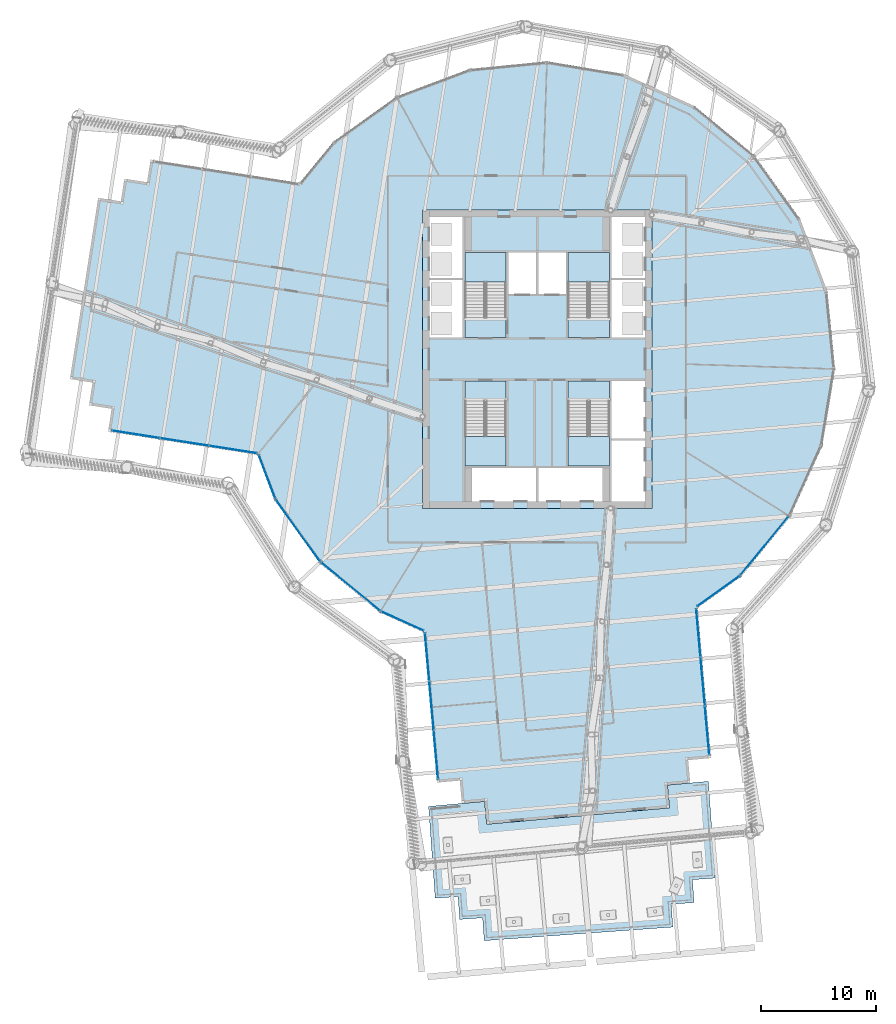
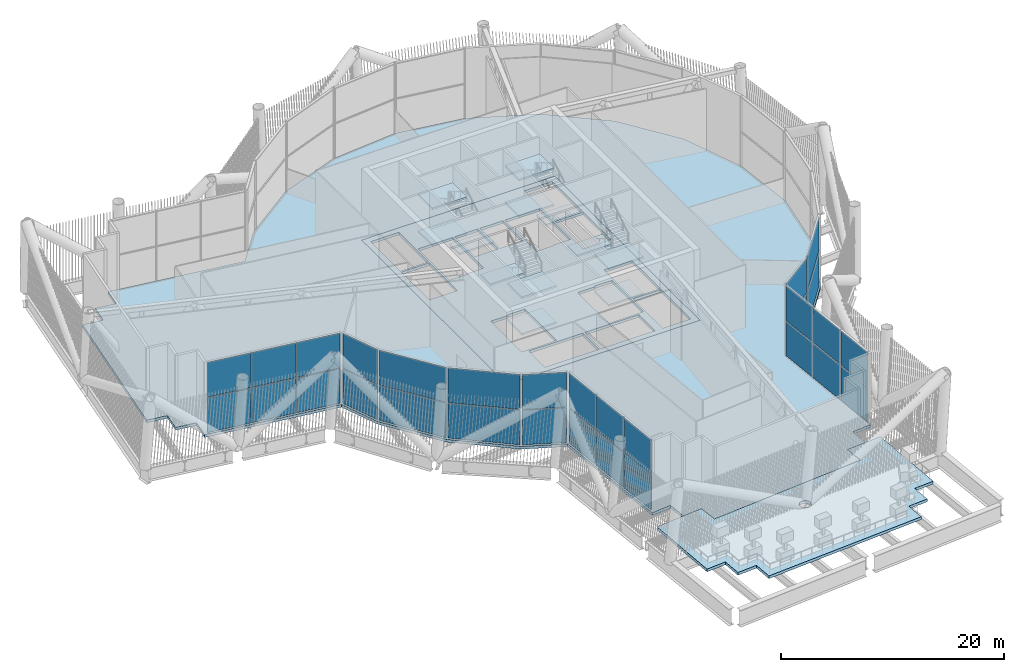
# One storey, part 28 of 55: 30 plates, 15 slabs, 13 elements without a shape of their own.
"""IFC4 building model written with IfcOpenShell, lengths in metres."""

import ifcopenshell
import ifcopenshell.guid

model = None  # the IFC model being written
_history = None  # IfcOwnerHistory: only IFC2X3 demands one
_inside = {}  # id of a spatial element -> (the spatial element, [elements in it])
_under = {}  # id of a project, library or spatial element -> (it, [spatial elements below it])
_declared = {}  # id of a project -> (the project, [libraries it declares])
_typed = {}  # id of a type object -> (the type object, [elements of that type])
_made_of = {}  # id of a material, layer set ... -> (it, [elements and type objects made of it])


def new_model(schema):
    """Start an empty IFC model of exactly this schema.

    Asked for "IFC4X3", IfcOpenShell would pick the latest addendum, in which some entities
    have other attributes; the version numbers below select the first issue.
    IFC2X3 requires an IfcOwnerHistory on every rooted entity: one is made here for all.
    """
    global model, _history
    if schema == "IFC4X3":
        model = ifcopenshell.file(schema_version=(4, 3, 0, 0))
    else:
        model = ifcopenshell.file(schema=schema)
    _inside.clear()
    _under.clear()
    _declared.clear()
    _typed.clear()
    _made_of.clear()
    _history = None
    if model.schema == "IFC2X3":
        org = make("IfcOrganization", Name="unknown")
        user = make(
            "IfcPersonAndOrganization",
            ThePerson=make("IfcPerson", FamilyName="unknown"),
            TheOrganization=org,
        )
        app = make(
            "IfcApplication",
            ApplicationDeveloper=org,
            Version="unknown",
            ApplicationFullName="unknown",
            ApplicationIdentifier="unknown",
        )
        _history = make(
            "IfcOwnerHistory",
            OwningUser=user,
            OwningApplication=app,
            ChangeAction="ADDED",
            CreationDate=0,
        )
    return model


def make(cls, **values):
    """One entity of the class cls with the attributes given. An attribute that is None is left unset."""
    return model.create_entity(
        cls, **{name: value for name, value in values.items() if value is not None}
    )


def rooted(cls, **values):
    """An entity with a GlobalId (a new one), such as an element, a storey or a relation."""
    return make(cls, GlobalId=ifcopenshell.guid.new(), OwnerHistory=_history, **values)


def si_unit(unit_type, name, prefix=None):
    """IfcSIUnit, for example si_unit("LENGTHUNIT", "METRE", prefix="MILLI")."""
    return make("IfcSIUnit", UnitType=unit_type, Prefix=prefix, Name=name)


def assignment(units):
    """IfcUnitAssignment: the units of a project."""
    return None if units is None else make("IfcUnitAssignment", Units=units)


def point(xyz):
    """IfcCartesianPoint."""
    return None if xyz is None else make("IfcCartesianPoint", Coordinates=xyz)


def direction(xyz):
    """IfcDirection."""
    return None if xyz is None else make("IfcDirection", DirectionRatios=xyz)


def frame(location, z_axis=None, x_axis=None):
    """IfcAxis2Placement3D, a coordinate frame: its origin and axes. An axis left out is left unset."""
    return make(
        "IfcAxis2Placement3D",
        Location=point(location),
        Axis=direction(z_axis),
        RefDirection=direction(x_axis),
    )


def frame_2d(location, x_axis=None):
    """IfcAxis2Placement2D, a coordinate frame in the plane: its origin and x axis."""
    return make(
        "IfcAxis2Placement2D", Location=point(location), RefDirection=direction(x_axis)
    )


def origin():
    """The frame at (0, 0, 0) with its axes left unset."""
    return frame((0.0, 0.0, 0.0))


def origin_2d():
    """The frame at (0, 0) in the plane with its x axis left unset."""
    return frame_2d((0.0, 0.0))


def place(relative_to, where):
    """IfcLocalPlacement: puts the frame where relative to a parent placement (None: the world)."""
    return make(
        "IfcLocalPlacement", PlacementRelTo=relative_to, RelativePlacement=where
    )


def context(
    kind, dimensions, precision=None, world=None, true_north=None, identifier=None
):
    """IfcGeometricRepresentationContext, for example the 3D "Model" context."""
    return make(
        "IfcGeometricRepresentationContext",
        ContextIdentifier=identifier,
        ContextType=kind,
        CoordinateSpaceDimension=dimensions,
        Precision=precision,
        WorldCoordinateSystem=world,
        TrueNorth=true_north,
    )


def subcontext(parent, identifier, kind, view, scale=None):
    """IfcGeometricRepresentationSubContext, for example "Body" below "Model"."""
    return make(
        "IfcGeometricRepresentationSubContext",
        ContextIdentifier=identifier,
        ContextType=kind,
        ParentContext=parent,
        TargetScale=scale,
        TargetView=view,
    )


def project(units=None, contexts=None):
    """IfcProject with its units and contexts."""
    return rooted(
        "IfcProject",
        Name="project",
        RepresentationContexts=contexts,
        UnitsInContext=assignment(units),
    )


def spatial(cls, under=None, at=None, **own):
    """A site, building, storey or space (cls), placed at a placement, below another one or the project."""
    s = rooted(cls, ObjectPlacement=at, **own)
    if under is not None:
        _under.setdefault(under.id(), (under, []))[1].append(s)
    return s


def polyline(points):
    """IfcPolyline through the points."""
    return make("IfcPolyline", Points=[point(p) for p in points])


def profile(cls, at=None, kind="AREA", **sizes):
    """A parametric profile (cls). Its sizes go by their IFC names, for example OverallWidth=200.0."""
    return make(cls, ProfileType=kind, Position=at, **sizes)


def rectangle(**sizes):
    """IfcRectangleProfileDef."""
    return profile("IfcRectangleProfileDef", **sizes)


def outline(outer, holes=None, kind="AREA"):
    """IfcArbitraryClosedProfileDef: a profile drawn as a closed curve; with holes, ...WithVoids."""
    if holes is None:
        return make("IfcArbitraryClosedProfileDef", ProfileType=kind, OuterCurve=outer)
    return make(
        "IfcArbitraryProfileDefWithVoids",
        ProfileType=kind,
        OuterCurve=outer,
        InnerCurves=holes,
    )


def extrude(swept, where, along, depth):
    """IfcExtrudedAreaSolid: the profile swept, set in the frame where, extruded along a direction by depth."""
    return make(
        "IfcExtrudedAreaSolid",
        SweptArea=swept,
        Position=where,
        ExtrudedDirection=direction(along),
        Depth=depth,
    )


def shape(context_of_items, identifier, shape_type, items):
    """IfcShapeRepresentation: the items that make up one representation, for example the "Body"."""
    return make(
        "IfcShapeRepresentation",
        ContextOfItems=context_of_items,
        RepresentationIdentifier=identifier,
        RepresentationType=shape_type,
        Items=items,
    )


def material(Name=None, Category=None):
    """IfcMaterial."""
    return make("IfcMaterial", Name=Name, Category=Category)


def layer(
    of_material, thickness, ventilated=None, Name=None, Category=None, Priority=None
):
    """IfcMaterialLayer: one layer of a wall or slab, of a material (None: an air gap)."""
    return make(
        "IfcMaterialLayer",
        Material=of_material,
        LayerThickness=thickness,
        IsVentilated=ventilated,
        Name=Name,
        Category=Category,
        Priority=Priority,
    )


def layer_set(layers, Name=None):
    """IfcMaterialLayerSet."""
    return make("IfcMaterialLayerSet", MaterialLayers=layers, LayerSetName=Name)


def made_of(thing, what):
    """Note that an element or type object is made of a material, layer set ...; save() writes the relation."""
    if what is not None:
        _made_of.setdefault(what.id(), (what, []))[1].append(thing)
    return thing


def type_object(cls, material=None, **own):
    """A type object (cls), such as IfcWallType, which elements share."""
    return made_of(rooted(cls, **own), material)


def element(
    cls,
    number,
    at=None,
    inside=None,
    cuts=None,
    type_object=None,
    material=None,
    context=None,
    identifier="Body",
    shape_type=None,
    held_by="IfcProductDefinitionShape",
    body=None,
    shapes=None,
    **own,
):
    """One element of the class cls, such as IfcWall. Its Tag is "e" and its number.

    at: its placement. inside: the storey or other place that contains it. cuts: it is an
    opening in that element (IfcRelVoidsElement). A single representation is given by context,
    identifier, shape_type and body (its items); several are given by shapes. held_by: the class
    of the entity that holds the representations. save() writes the other relations.
    """
    e = rooted(cls, Tag="e%d" % number, ObjectPlacement=at, **own)
    if body is not None:
        shapes = [shape(context, identifier, shape_type, body)]
    if shapes is not None:
        e.Representation = make(held_by, Representations=shapes)
    if inside is not None:
        _inside.setdefault(inside.id(), (inside, []))[1].append(e)
    if cuts is not None:
        rooted(
            "IfcRelVoidsElement", RelatingBuildingElement=cuts, RelatedOpeningElement=e
        )
    if type_object is not None:
        _typed.setdefault(type_object.id(), (type_object, []))[1].append(e)
    return made_of(e, material)


def aggregate(whole, parts):
    """IfcRelAggregates: a whole, such as a stair, and the parts it consists of."""
    return rooted("IfcRelAggregates", RelatingObject=whole, RelatedObjects=parts)


def save(model, path):
    """Write the relations noted so far, then the file.

    IfcRelAggregates (storeys below a building ...), IfcRelContainedInSpatialStructure (elements
    in a storey), IfcRelDefinesByType, IfcRelAssociatesMaterial and IfcRelDeclares: one each for
    every whole, place, type object, material and project.
    """
    for whole, parts in _under.values():
        aggregate(whole, parts)
    for where, things in _inside.values():
        rooted(
            "IfcRelContainedInSpatialStructure",
            RelatedElements=things,
            RelatingStructure=where,
        )
    for kind, things in _typed.values():
        rooted("IfcRelDefinesByType", RelatedObjects=things, RelatingType=kind)
    for what, things in _made_of.values():
        rooted("IfcRelAssociatesMaterial", RelatedObjects=things, RelatingMaterial=what)
    for by, libraries in _declared.values():
        rooted("IfcRelDeclares", RelatingContext=by, RelatedDefinitions=libraries)
    model.write(path)


model = new_model("IFC4")

# Units and contexts
model_context = context("Model", 3, precision=1e-05, world=origin(), true_north=direction((0.0, 1.0)))
body_context = subcontext(model_context, "Body", "Model", "MODEL_VIEW")
ifc_project = project(units=[si_unit("LENGTHUNIT", "METRE"), si_unit("AREAUNIT", "SQUARE_METRE"), si_unit("VOLUMEUNIT", "CUBIC_METRE"), si_unit("PLANEANGLEUNIT", "RADIAN"), si_unit("MASSUNIT", "GRAM", prefix="KILO")], contexts=[model_context])

# Site, building, storey
site_placement = place(None, origin())
site = spatial("IfcSite", under=ifc_project, at=site_placement, CompositionType="ELEMENT")
building_placement = place(site_placement, origin())
building = spatial("IfcBuilding", under=site, at=building_placement, Name="Tarsis Ring Headquarters", CompositionType="ELEMENT")
storey_placement = place(building_placement, frame((0.0, 0.0, 247.199951171875)))
storey = spatial("IfcBuildingStorey", under=building, at=storey_placement, Name="L58", CompositionType="ELEMENT", Elevation=247.199951171875)

# Slab
ifc_material_1 = material(Name="Concrete C40/50", Category="concrete")
ifc_layer_1 = layer(ifc_material_1, 0.300048828125)
ifc_layer_set_1 = layer_set([ifc_layer_1], Name="Core floor slab 300 C40/50")
slab_type_1 = type_object("IfcSlabType", Name="Core floor slab 300 C40/50", PredefinedType="FLOOR", material=ifc_layer_set_1)
slab_1_placement = place(storey_placement, frame((0.0, 0.0, -0.300048828125)))
element("IfcSlab", 1, at=slab_1_placement, inside=storey, type_object=slab_type_1, Name="L58 core floor slab", PredefinedType="FLOOR", context=body_context, shape_type="SweptSolid", body=[
    extrude(outline(polyline([(-10.0, -13.0), (10.0, -13.0), (10.0, 13.0), (-10.0, 13.0), (-10.0, -13.0)]), holes=[polyline([(-2.5, 5.699951171875), (-0.10009765625, 5.699951171875), (-0.10009765625, 9.300048828125), (-2.5, 9.300048828125), (-2.5, 5.699951171875)]), polyline([(0.10009765625, 5.699951171875), (2.5, 5.699951171875), (2.5, 9.300048828125), (0.10009765625, 9.300048828125), (0.10009765625, 5.699951171875)]), polyline([(-9.39990234375, 1.89990234375), (-6.5, 1.89990234375), (-6.5, 6.89990234375), (-9.39990234375, 6.89990234375), (-9.39990234375, 1.89990234375)]), polyline([(-9.39990234375, 7.10009765625), (-6.5, 7.10009765625), (-6.5, 12.39990234375), (-9.39990234375, 12.39990234375), (-9.39990234375, 7.10009765625)]), polyline([(6.5, -12.39990234375), (9.39990234375, -12.39990234375), (9.39990234375, -7.10009765625), (6.5, -7.10009765625), (6.5, -12.39990234375)]), polyline([(6.5, -6.89990234375), (9.39990234375, -6.89990234375), (9.39990234375, -1.89990234375), (6.5, -1.89990234375), (6.5, -6.89990234375)]), polyline([(6.5, 1.89990234375), (9.39990234375, 1.89990234375), (9.39990234375, 6.89990234375), (6.5, 6.89990234375), (6.5, 1.89990234375)]), polyline([(6.5, 7.10009765625), (9.39990234375, 7.10009765625), (9.39990234375, 12.39990234375), (6.5, 12.39990234375), (6.5, 7.10009765625)]), polyline([(-5.699951171875, -12.39990234375), (-0.10009765625, -12.39990234375), (-0.10009765625, -9.5), (-5.699951171875, -9.5), (-5.699951171875, -12.39990234375)]), polyline([(0.10009765625, -12.39990234375), (5.699951171875, -12.39990234375), (5.699951171875, -9.5), (0.10009765625, -9.5), (0.10009765625, -12.39990234375)]), polyline([(-2.699951171875, 3.760009765625), (-2.699951171875, 9.300048828125), (-6.300048828125, 9.300048828125), (-6.300048828125, 3.659912109375), (-4.4599609375, 3.659912109375), (-4.4599609375, 3.760009765625), (-2.699951171875, 3.760009765625)]), polyline([(6.300048828125, 3.760009765625), (6.300048828125, 9.300048828125), (2.699951171875, 9.300048828125), (2.699951171875, 3.659912109375), (4.5400390625, 3.659912109375), (4.5400390625, 3.760009765625), (6.300048828125, 3.760009765625)]), polyline([(-6.300048828125, -3.760009765625), (-6.300048828125, -9.300048828125), (-2.699951171875, -9.300048828125), (-2.699951171875, -3.659912109375), (-4.5400390625, -3.659912109375), (-4.5400390625, -3.760009765625), (-6.300048828125, -3.760009765625)]), polyline([(2.699951171875, -3.760009765625), (2.699951171875, -9.300048828125), (6.300048828125, -9.300048828125), (6.300048828125, -3.659912109375), (4.4599609375, -3.659912109375), (4.4599609375, -3.760009765625), (2.699951171875, -3.760009765625)])]), origin(), (0.0, 0.0, 1.0), 0.300048828125),
])

# Stair, slabs
ifc_material_2 = material(Name="Core stair 1760")
stair_type = type_object("IfcStairType", Name="Core stair 1760", PredefinedType="HALF_TURN_STAIR", material=ifc_material_2)
stair_1_placement = place(storey_placement, origin())
stair_1 = element("IfcStair", 2, at=stair_1_placement, inside=storey, type_object=stair_type, Name="L58 Firefighting stair", PredefinedType="HALF_TURN_STAIR")
ifc_layer_2 = layer(ifc_material_1, 0.199951171875)
ifc_layer_set_2 = layer_set([ifc_layer_2], Name="Core stair landing 200")
slab_type_2 = type_object("IfcSlabType", Name="Core stair landing 200", PredefinedType="LANDING", material=ifc_layer_set_2)
slab_2_placement = place(storey_placement, frame((0.0, 0.0, 1.800048828125)))
slab_2 = element("IfcSlab", 3, at=slab_2_placement, type_object=slab_type_2, Name="Stair ST1 landing 1", PredefinedType="LANDING", context=body_context, shape_type="SweptSolid", body=[
    extrude(outline(polyline([(-2.699951171875, 6.739990234375), (-2.699951171875, 9.300048828125), (-6.300048828125, 9.300048828125), (-6.300048828125, 6.739990234375), (-2.699951171875, 6.739990234375)])), origin(), (0.0, 0.0, 1.0), 0.199951171875),
])
slab_3_placement = place(storey_placement, frame((0.0, 0.0, 3.800048828125)))
slab_3 = element("IfcSlab", 4, at=slab_3_placement, type_object=slab_type_2, Name="Stair ST1 landing 2", PredefinedType="LANDING", context=body_context, shape_type="SweptSolid", body=[
    extrude(outline(polyline([(-2.699951171875, 1.89990234375), (-2.699951171875, 3.659912109375), (-6.300048828125, 3.659912109375), (-6.300048828125, 1.89990234375), (-2.699951171875, 1.89990234375)])), origin(), (0.0, 0.0, 1.0), 0.199951171875),
])
slab_4_placement = place(storey_placement, frame((0.0, 0.0, 5.800048828125)))
slab_4 = element("IfcSlab", 5, at=slab_4_placement, type_object=slab_type_2, Name="Stair ST1 landing 3", PredefinedType="LANDING", context=body_context, shape_type="SweptSolid", body=[
    extrude(outline(polyline([(-2.699951171875, 6.739990234375), (-2.699951171875, 9.300048828125), (-6.300048828125, 9.300048828125), (-6.300048828125, 6.739990234375), (-2.699951171875, 6.739990234375)])), origin(), (0.0, 0.0, 1.0), 0.199951171875),
])
aggregate(stair_1, [slab_2, slab_3, slab_4])

stair_2_placement = place(storey_placement, origin())
stair_2 = element("IfcStair", 6, at=stair_2_placement, inside=storey, type_object=stair_type, Name="L58 Exit stair B", PredefinedType="HALF_TURN_STAIR")
slab_5_placement = place(storey_placement, frame((0.0, 0.0, 1.800048828125)))
slab_5 = element("IfcSlab", 7, at=slab_5_placement, type_object=slab_type_2, Name="Stair ST2 landing 1", PredefinedType="LANDING", context=body_context, shape_type="SweptSolid", body=[
    extrude(outline(polyline([(6.300048828125, 6.739990234375), (6.300048828125, 9.300048828125), (2.699951171875, 9.300048828125), (2.699951171875, 6.739990234375), (6.300048828125, 6.739990234375)])), origin(), (0.0, 0.0, 1.0), 0.199951171875),
])
slab_6_placement = place(storey_placement, frame((0.0, 0.0, 3.800048828125)))
slab_6 = element("IfcSlab", 8, at=slab_6_placement, type_object=slab_type_2, Name="Stair ST2 landing 2", PredefinedType="LANDING", context=body_context, shape_type="SweptSolid", body=[
    extrude(outline(polyline([(6.300048828125, 1.89990234375), (6.300048828125, 3.659912109375), (2.699951171875, 3.659912109375), (2.699951171875, 1.89990234375), (6.300048828125, 1.89990234375)])), origin(), (0.0, 0.0, 1.0), 0.199951171875),
])
slab_7_placement = place(storey_placement, frame((0.0, 0.0, 5.800048828125)))
slab_7 = element("IfcSlab", 9, at=slab_7_placement, type_object=slab_type_2, Name="Stair ST2 landing 3", PredefinedType="LANDING", context=body_context, shape_type="SweptSolid", body=[
    extrude(outline(polyline([(6.300048828125, 6.739990234375), (6.300048828125, 9.300048828125), (2.699951171875, 9.300048828125), (2.699951171875, 6.739990234375), (6.300048828125, 6.739990234375)])), origin(), (0.0, 0.0, 1.0), 0.199951171875),
])
aggregate(stair_2, [slab_5, slab_6, slab_7])

stair_3_placement = place(storey_placement, origin())
stair_3 = element("IfcStair", 10, at=stair_3_placement, inside=storey, type_object=stair_type, Name="L58 Exit stair C", PredefinedType="HALF_TURN_STAIR")
slab_8_placement = place(storey_placement, frame((0.0, 0.0, 1.800048828125)))
slab_8 = element("IfcSlab", 11, at=slab_8_placement, type_object=slab_type_2, Name="Stair ST3 landing 1", PredefinedType="LANDING", context=body_context, shape_type="SweptSolid", body=[
    extrude(outline(polyline([(-6.300048828125, -6.739990234375), (-6.300048828125, -9.300048828125), (-2.699951171875, -9.300048828125), (-2.699951171875, -6.739990234375), (-6.300048828125, -6.739990234375)])), origin(), (0.0, 0.0, 1.0), 0.199951171875),
])
slab_9_placement = place(storey_placement, frame((0.0, 0.0, 3.800048828125)))
slab_9 = element("IfcSlab", 12, at=slab_9_placement, type_object=slab_type_2, Name="Stair ST3 landing 2", PredefinedType="LANDING", context=body_context, shape_type="SweptSolid", body=[
    extrude(outline(polyline([(-6.300048828125, -1.89990234375), (-6.300048828125, -3.659912109375), (-2.699951171875, -3.659912109375), (-2.699951171875, -1.89990234375), (-6.300048828125, -1.89990234375)])), origin(), (0.0, 0.0, 1.0), 0.199951171875),
])
slab_10_placement = place(storey_placement, frame((0.0, 0.0, 5.800048828125)))
slab_10 = element("IfcSlab", 13, at=slab_10_placement, type_object=slab_type_2, Name="Stair ST3 landing 3", PredefinedType="LANDING", context=body_context, shape_type="SweptSolid", body=[
    extrude(outline(polyline([(-6.300048828125, -6.739990234375), (-6.300048828125, -9.300048828125), (-2.699951171875, -9.300048828125), (-2.699951171875, -6.739990234375), (-6.300048828125, -6.739990234375)])), origin(), (0.0, 0.0, 1.0), 0.199951171875),
])
aggregate(stair_3, [slab_8, slab_9, slab_10])

stair_4_placement = place(storey_placement, origin())
stair_4 = element("IfcStair", 14, at=stair_4_placement, inside=storey, type_object=stair_type, Name="L58 Exit stair D", PredefinedType="HALF_TURN_STAIR")
slab_11_placement = place(storey_placement, frame((0.0, 0.0, 1.800048828125)))
slab_11 = element("IfcSlab", 15, at=slab_11_placement, type_object=slab_type_2, Name="Stair ST4 landing 1", PredefinedType="LANDING", context=body_context, shape_type="SweptSolid", body=[
    extrude(outline(polyline([(2.699951171875, -6.739990234375), (2.699951171875, -9.300048828125), (6.300048828125, -9.300048828125), (6.300048828125, -6.739990234375), (2.699951171875, -6.739990234375)])), origin(), (0.0, 0.0, 1.0), 0.199951171875),
])
slab_12_placement = place(storey_placement, frame((0.0, 0.0, 3.800048828125)))
slab_12 = element("IfcSlab", 16, at=slab_12_placement, type_object=slab_type_2, Name="Stair ST4 landing 2", PredefinedType="LANDING", context=body_context, shape_type="SweptSolid", body=[
    extrude(outline(polyline([(2.699951171875, -1.89990234375), (2.699951171875, -3.659912109375), (6.300048828125, -3.659912109375), (6.300048828125, -1.89990234375), (2.699951171875, -1.89990234375)])), origin(), (0.0, 0.0, 1.0), 0.199951171875),
])
slab_13_placement = place(storey_placement, frame((0.0, 0.0, 5.800048828125)))
slab_13 = element("IfcSlab", 17, at=slab_13_placement, type_object=slab_type_2, Name="Stair ST4 landing 3", PredefinedType="LANDING", context=body_context, shape_type="SweptSolid", body=[
    extrude(outline(polyline([(2.699951171875, -6.739990234375), (2.699951171875, -9.300048828125), (6.300048828125, -9.300048828125), (6.300048828125, -6.739990234375), (2.699951171875, -6.739990234375)])), origin(), (0.0, 0.0, 1.0), 0.199951171875),
])
aggregate(stair_4, [slab_11, slab_12, slab_13])

# Curtain wall, plates
ifc_material_3 = material(Name="Aluminium curtain wall", Category="aluminium")
ifc_layer_3 = layer(ifc_material_3, 0.300048828125)
ifc_layer_set_3 = layer_set([ifc_layer_3], Name="Curtain wall upper sky lobby")
curtain_wall_type = type_object("IfcCurtainWallType", Name="Curtain wall upper sky lobby", PredefinedType="NOTDEFINED", material=ifc_layer_set_3)
curtain_wall_1_placement = place(storey_placement, origin())
curtain_wall_1 = element("IfcCurtainWall", 18, at=curtain_wall_1_placement, inside=storey, type_object=curtain_wall_type, Name="Curtain wall L58-01", PredefinedType="NOTDEFINED")
ifc_material_4 = material(Name="Clear double glazing", Category="glass")
ifc_layer_4 = layer(ifc_material_4, 0.028076171875)
ifc_layer_set_4 = layer_set([ifc_layer_4], Name="Curtain wall glass panel upper sky lobby")
plate_type = type_object("IfcPlateType", Name="Curtain wall glass panel upper sky lobby", PredefinedType="CURTAIN_PANEL", material=ifc_layer_set_4)
plate_1_placement = place(storey_placement, frame((-35.00439453125, -6.550048828125, 0.09033203125), z_axis=(0.0, 0.0, 1.0), x_axis=(0.988013815292, -0.15436547798, 0.0)))
plate_1 = element("IfcPlate", 19, at=plate_1_placement, type_object=plate_type, Name="CW-U panel 1.1", PredefinedType="CURTAIN_PANEL", context=body_context, shape_type="SweptSolid", body=[
    extrude(rectangle(XDim=4.17236328125, YDim=0.028076171875, at=origin_2d()), origin(), (0.0, 0.0, 1.0), 3.784912109375),
])
plate_2_placement = place(storey_placement, frame((-35.00439453125, -6.550048828125, 3.96533203125), z_axis=(0.0, 0.0, 1.0), x_axis=(0.988013815292, -0.15436547798, 0.0)))
plate_2 = element("IfcPlate", 20, at=plate_2_placement, type_object=plate_type, Name="CW-U panel 1.2", PredefinedType="CURTAIN_PANEL", context=body_context, shape_type="SweptSolid", body=[
    extrude(rectangle(XDim=4.17236328125, YDim=0.028076171875, at=origin_2d()), origin(), (0.0, 0.0, 1.0), 3.784912109375),
])
plate_3_placement = place(storey_placement, frame((-30.77099609375, -7.21142578125, 0.09033203125), z_axis=(0.0, 0.0, 1.0), x_axis=(0.988013815292, -0.15436547798, 0.0)))
plate_3 = element("IfcPlate", 21, at=plate_3_placement, type_object=plate_type, Name="CW-U panel 2.1", PredefinedType="CURTAIN_PANEL", context=body_context, shape_type="SweptSolid", body=[
    extrude(rectangle(XDim=4.21728515625, YDim=0.028076171875, at=origin_2d()), origin(), (0.0, 0.0, 1.0), 3.784912109375),
])
plate_4_placement = place(storey_placement, frame((-30.77099609375, -7.21142578125, 3.96533203125), z_axis=(0.0, 0.0, 1.0), x_axis=(0.988013815292, -0.15436547798, 0.0)))
plate_4 = element("IfcPlate", 22, at=plate_4_placement, type_object=plate_type, Name="CW-U panel 2.2", PredefinedType="CURTAIN_PANEL", context=body_context, shape_type="SweptSolid", body=[
    extrude(rectangle(XDim=4.21728515625, YDim=0.028076171875, at=origin_2d()), origin(), (0.0, 0.0, 1.0), 3.784912109375),
])
plate_5_placement = place(storey_placement, frame((-26.53759765625, -7.872802734375, 0.09033203125), z_axis=(0.0, 0.0, 1.0), x_axis=(0.988013815292, -0.15436547798, 0.0)))
plate_5 = element("IfcPlate", 23, at=plate_5_placement, type_object=plate_type, Name="CW-U panel 3.1", PredefinedType="CURTAIN_PANEL", context=body_context, shape_type="SweptSolid", body=[
    extrude(rectangle(XDim=4.17236328125, YDim=0.028076171875, at=origin_2d()), origin(), (0.0, 0.0, 1.0), 3.784912109375),
])
plate_6_placement = place(storey_placement, frame((-26.53759765625, -7.872802734375, 3.96533203125), z_axis=(0.0, 0.0, 1.0), x_axis=(0.988013815292, -0.15436547798, 0.0)))
plate_6 = element("IfcPlate", 24, at=plate_6_placement, type_object=plate_type, Name="CW-U panel 3.2", PredefinedType="CURTAIN_PANEL", context=body_context, shape_type="SweptSolid", body=[
    extrude(rectangle(XDim=4.17236328125, YDim=0.028076171875, at=origin_2d()), origin(), (0.0, 0.0, 1.0), 3.784912109375),
])
aggregate(curtain_wall_1, [plate_1, plate_2, plate_3, plate_4, plate_5, plate_6])

curtain_wall_2_placement = place(storey_placement, origin())
curtain_wall_2 = element("IfcCurtainWall", 25, at=curtain_wall_2_placement, inside=storey, type_object=curtain_wall_type, Name="Curtain wall L58-02", PredefinedType="NOTDEFINED")
plate_7_placement = place(storey_placement, frame((-23.5576171875, -10.23388671875, 0.09033203125), z_axis=(0.0, 0.0, 1.0), x_axis=(0.352168517881, -0.935936608437, 0.0)))
plate_7 = element("IfcPlate", 26, at=plate_7_placement, type_object=plate_type, Name="CW-U panel 1.1", PredefinedType="CURTAIN_PANEL", context=body_context, shape_type="SweptSolid", body=[
    extrude(rectangle(XDim=3.9775390625, YDim=0.028076171875, at=origin_2d()), origin(), (0.0, 0.0, 1.0), 3.784912109375),
])
plate_8_placement = place(storey_placement, frame((-23.5576171875, -10.23388671875, 3.96533203125), z_axis=(0.0, 0.0, 1.0), x_axis=(0.352168517881, -0.935936608437, 0.0)))
plate_8 = element("IfcPlate", 27, at=plate_8_placement, type_object=plate_type, Name="CW-U panel 1.2", PredefinedType="CURTAIN_PANEL", context=body_context, shape_type="SweptSolid", body=[
    extrude(rectangle(XDim=3.9775390625, YDim=0.028076171875, at=origin_2d()), origin(), (0.0, 0.0, 1.0), 3.784912109375),
])
aggregate(curtain_wall_2, [plate_7, plate_8])

curtain_wall_3_placement = place(storey_placement, origin())
curtain_wall_3 = element("IfcCurtainWall", 28, at=curtain_wall_3_placement, inside=storey, type_object=curtain_wall_type, Name="Curtain wall L58-03", PredefinedType="NOTDEFINED")
plate_9_placement = place(storey_placement, frame((-20.85302734375, -14.940185546875, 0.09033203125), z_axis=(0.0, 0.0, 1.0), x_axis=(0.582406653888, -0.812897588573, 0.0)))
plate_9 = element("IfcPlate", 29, at=plate_9_placement, type_object=plate_type, Name="CW-U panel 1.1", PredefinedType="CURTAIN_PANEL", context=body_context, shape_type="SweptSolid", body=[
    extrude(rectangle(XDim=6.54150390625, YDim=0.028076171875, at=origin_2d()), origin(), (0.0, 0.0, 1.0), 3.784912109375),
])
plate_10_placement = place(storey_placement, frame((-20.85302734375, -14.940185546875, 3.96533203125), z_axis=(0.0, 0.0, 1.0), x_axis=(0.582406653888, -0.812897588573, 0.0)))
plate_10 = element("IfcPlate", 30, at=plate_10_placement, type_object=plate_type, Name="CW-U panel 1.2", PredefinedType="CURTAIN_PANEL", context=body_context, shape_type="SweptSolid", body=[
    extrude(rectangle(XDim=6.54150390625, YDim=0.028076171875, at=origin_2d()), origin(), (0.0, 0.0, 1.0), 3.784912109375),
])
aggregate(curtain_wall_3, [plate_9, plate_10])

curtain_wall_4_placement = place(storey_placement, origin())
curtain_wall_4 = element("IfcCurtainWall", 31, at=curtain_wall_4_placement, inside=storey, type_object=curtain_wall_type, Name="Curtain wall L58-04", PredefinedType="NOTDEFINED")
plate_11_placement = place(storey_placement, frame((-16.275634765625, -19.828369140625, 0.09033203125), z_axis=(0.0, 0.0, 1.0), x_axis=(0.772955112947, -0.634460710658, 0.0)))
plate_11 = element("IfcPlate", 32, at=plate_11_placement, type_object=plate_type, Name="CW-U panel 1.1", PredefinedType="CURTAIN_PANEL", context=body_context, shape_type="SweptSolid", body=[
    extrude(rectangle(XDim=6.54150390625, YDim=0.028076171875, at=origin_2d()), origin(), (0.0, 0.0, 1.0), 3.784912109375),
])
plate_12_placement = place(storey_placement, frame((-16.275634765625, -19.828369140625, 3.96533203125), z_axis=(0.0, 0.0, 1.0), x_axis=(0.772955112947, -0.634460710658, 0.0)))
plate_12 = element("IfcPlate", 33, at=plate_12_placement, type_object=plate_type, Name="CW-U panel 1.2", PredefinedType="CURTAIN_PANEL", context=body_context, shape_type="SweptSolid", body=[
    extrude(rectangle(XDim=6.54150390625, YDim=0.028076171875, at=origin_2d()), origin(), (0.0, 0.0, 1.0), 3.784912109375),
])
aggregate(curtain_wall_4, [plate_11, plate_12])

curtain_wall_5_placement = place(storey_placement, origin())
curtain_wall_5 = element("IfcCurtainWall", 34, at=curtain_wall_5_placement, inside=storey, type_object=curtain_wall_type, Name="Curtain wall L58-05", PredefinedType="NOTDEFINED")
plate_13_placement = place(storey_placement, frame((-11.756591796875, -22.8359375, 0.09033203125), z_axis=(0.0, 0.0, 1.0), x_axis=(0.910827688552, -0.412786775185, 0.0)))
plate_13 = element("IfcPlate", 35, at=plate_13_placement, type_object=plate_type, Name="CW-U panel 1.1", PredefinedType="CURTAIN_PANEL", context=body_context, shape_type="SweptSolid", body=[
    extrude(rectangle(XDim=3.9775390625, YDim=0.028076171875, at=origin_2d()), origin(), (0.0, 0.0, 1.0), 3.784912109375),
])
plate_14_placement = place(storey_placement, frame((-11.756591796875, -22.8359375, 3.96533203125), z_axis=(0.0, 0.0, 1.0), x_axis=(0.910827688552, -0.412786775185, 0.0)))
plate_14 = element("IfcPlate", 36, at=plate_14_placement, type_object=plate_type, Name="CW-U panel 1.2", PredefinedType="CURTAIN_PANEL", context=body_context, shape_type="SweptSolid", body=[
    extrude(rectangle(XDim=3.9775390625, YDim=0.028076171875, at=origin_2d()), origin(), (0.0, 0.0, 1.0), 3.784912109375),
])
aggregate(curtain_wall_5, [plate_13, plate_14])

curtain_wall_6_placement = place(storey_placement, origin())
curtain_wall_6 = element("IfcCurtainWall", 37, at=curtain_wall_6_placement, inside=storey, type_object=curtain_wall_type, Name="Curtain wall L58-06", PredefinedType="NOTDEFINED")
plate_15_placement = place(storey_placement, frame((-9.59619140625, -25.964111328125, 0.09033203125), z_axis=(0.0, 0.0, 1.0), x_axis=(0.089242030819, -0.996009969797, 0.0)))
plate_15 = element("IfcPlate", 38, at=plate_15_placement, type_object=plate_type, Name="CW-U panel 1.1", PredefinedType="CURTAIN_PANEL", context=body_context, shape_type="SweptSolid", body=[
    extrude(rectangle(XDim=4.17236328125, YDim=0.028076171875, at=origin_2d()), origin(), (0.0, 0.0, 1.0), 3.784912109375),
])
plate_16_placement = place(storey_placement, frame((-9.59619140625, -25.964111328125, 3.96533203125), z_axis=(0.0, 0.0, 1.0), x_axis=(0.089242030819, -0.996009969797, 0.0)))
plate_16 = element("IfcPlate", 39, at=plate_16_placement, type_object=plate_type, Name="CW-U panel 1.2", PredefinedType="CURTAIN_PANEL", context=body_context, shape_type="SweptSolid", body=[
    extrude(rectangle(XDim=4.17236328125, YDim=0.028076171875, at=origin_2d()), origin(), (0.0, 0.0, 1.0), 3.784912109375),
])
plate_17_placement = place(storey_placement, frame((-9.2138671875, -30.23193359375, 0.09033203125), z_axis=(0.0, 0.0, 1.0), x_axis=(0.089242030819, -0.996009969797, 0.0)))
plate_17 = element("IfcPlate", 40, at=plate_17_placement, type_object=plate_type, Name="CW-U panel 2.1", PredefinedType="CURTAIN_PANEL", context=body_context, shape_type="SweptSolid", body=[
    extrude(rectangle(XDim=4.21728515625, YDim=0.028076171875, at=origin_2d()), origin(), (0.0, 0.0, 1.0), 3.784912109375),
])
plate_18_placement = place(storey_placement, frame((-9.2138671875, -30.23193359375, 3.96533203125), z_axis=(0.0, 0.0, 1.0), x_axis=(0.089242030819, -0.996009969797, 0.0)))
plate_18 = element("IfcPlate", 41, at=plate_18_placement, type_object=plate_type, Name="CW-U panel 2.2", PredefinedType="CURTAIN_PANEL", context=body_context, shape_type="SweptSolid", body=[
    extrude(rectangle(XDim=4.21728515625, YDim=0.028076171875, at=origin_2d()), origin(), (0.0, 0.0, 1.0), 3.784912109375),
])
plate_19_placement = place(storey_placement, frame((-8.83154296875, -34.49951171875, 0.09033203125), z_axis=(0.0, 0.0, 1.0), x_axis=(0.089242030819, -0.996009969797, 0.0)))
plate_19 = element("IfcPlate", 42, at=plate_19_placement, type_object=plate_type, Name="CW-U panel 3.1", PredefinedType="CURTAIN_PANEL", context=body_context, shape_type="SweptSolid", body=[
    extrude(rectangle(XDim=4.17236328125, YDim=0.028076171875, at=origin_2d()), origin(), (0.0, 0.0, 1.0), 3.784912109375),
])
plate_20_placement = place(storey_placement, frame((-8.83154296875, -34.49951171875, 3.96533203125), z_axis=(0.0, 0.0, 1.0), x_axis=(0.089242030819, -0.996009969797, 0.0)))
plate_20 = element("IfcPlate", 43, at=plate_20_placement, type_object=plate_type, Name="CW-U panel 3.2", PredefinedType="CURTAIN_PANEL", context=body_context, shape_type="SweptSolid", body=[
    extrude(rectangle(XDim=4.17236328125, YDim=0.028076171875, at=origin_2d()), origin(), (0.0, 0.0, 1.0), 3.784912109375),
])
aggregate(curtain_wall_6, [plate_15, plate_16, plate_17, plate_18, plate_19, plate_20])

curtain_wall_7_placement = place(storey_placement, origin())
curtain_wall_7 = element("IfcCurtainWall", 44, at=curtain_wall_7_placement, inside=storey, type_object=curtain_wall_type, Name="Curtain wall L58-16", PredefinedType="NOTDEFINED")
plate_21_placement = place(storey_placement, frame((14.82421875, -32.383544921875, 0.09033203125), z_axis=(0.0, 0.0, 1.0), x_axis=(-0.089241933627, 0.996009978505, 0.0)))
plate_21 = element("IfcPlate", 45, at=plate_21_placement, type_object=plate_type, Name="CW-U panel 1.1", PredefinedType="CURTAIN_PANEL", context=body_context, shape_type="SweptSolid", body=[
    extrude(rectangle(XDim=4.16552734375, YDim=0.028076171875, at=origin_2d()), origin(), (0.0, 0.0, 1.0), 3.784912109375),
])
plate_22_placement = place(storey_placement, frame((14.82421875, -32.383544921875, 3.96533203125), z_axis=(0.0, 0.0, 1.0), x_axis=(-0.089241933627, 0.996009978505, 0.0)))
plate_22 = element("IfcPlate", 46, at=plate_22_placement, type_object=plate_type, Name="CW-U panel 1.2", PredefinedType="CURTAIN_PANEL", context=body_context, shape_type="SweptSolid", body=[
    extrude(rectangle(XDim=4.16552734375, YDim=0.028076171875, at=origin_2d()), origin(), (0.0, 0.0, 1.0), 3.784912109375),
])
plate_23_placement = place(storey_placement, frame((14.4423828125, -28.122802734375, 0.09033203125), z_axis=(0.0, 0.0, 1.0), x_axis=(-0.089241933627, 0.996009978505, 0.0)))
plate_23 = element("IfcPlate", 47, at=plate_23_placement, type_object=plate_type, Name="CW-U panel 2.1", PredefinedType="CURTAIN_PANEL", context=body_context, shape_type="SweptSolid", body=[
    extrude(rectangle(XDim=4.21044921875, YDim=0.028076171875, at=origin_2d()), origin(), (0.0, 0.0, 1.0), 3.784912109375),
])
plate_24_placement = place(storey_placement, frame((14.4423828125, -28.122802734375, 3.96533203125), z_axis=(0.0, 0.0, 1.0), x_axis=(-0.089241933627, 0.996009978505, 0.0)))
plate_24 = element("IfcPlate", 48, at=plate_24_placement, type_object=plate_type, Name="CW-U panel 2.2", PredefinedType="CURTAIN_PANEL", context=body_context, shape_type="SweptSolid", body=[
    extrude(rectangle(XDim=4.21044921875, YDim=0.028076171875, at=origin_2d()), origin(), (0.0, 0.0, 1.0), 3.784912109375),
])
plate_25_placement = place(storey_placement, frame((14.060546875, -23.86181640625, 0.09033203125), z_axis=(0.0, 0.0, 1.0), x_axis=(-0.089241933627, 0.996009978505, 0.0)))
plate_25 = element("IfcPlate", 49, at=plate_25_placement, type_object=plate_type, Name="CW-U panel 3.1", PredefinedType="CURTAIN_PANEL", context=body_context, shape_type="SweptSolid", body=[
    extrude(rectangle(XDim=4.16552734375, YDim=0.028076171875, at=origin_2d()), origin(), (0.0, 0.0, 1.0), 3.784912109375),
])
plate_26_placement = place(storey_placement, frame((14.060546875, -23.86181640625, 3.96533203125), z_axis=(0.0, 0.0, 1.0), x_axis=(-0.089241933627, 0.996009978505, 0.0)))
plate_26 = element("IfcPlate", 50, at=plate_26_placement, type_object=plate_type, Name="CW-U panel 3.2", PredefinedType="CURTAIN_PANEL", context=body_context, shape_type="SweptSolid", body=[
    extrude(rectangle(XDim=4.16552734375, YDim=0.028076171875, at=origin_2d()), origin(), (0.0, 0.0, 1.0), 3.784912109375),
])
aggregate(curtain_wall_7, [plate_21, plate_22, plate_23, plate_24, plate_25, plate_26])

curtain_wall_8_placement = place(storey_placement, origin())
curtain_wall_8 = element("IfcCurtainWall", 51, at=curtain_wall_8_placement, inside=storey, type_object=curtain_wall_type, Name="Curtain wall L58-17", PredefinedType="NOTDEFINED")
plate_27_placement = place(storey_placement, frame((15.795166015625, -20.240234375, 0.09033203125), z_axis=(0.0, 0.0, 1.0), x_axis=(0.812897571231, 0.582406678092, 0.0)))
plate_27 = element("IfcPlate", 52, at=plate_27_placement, type_object=plate_type, Name="CW-U panel 1.1", PredefinedType="CURTAIN_PANEL", context=body_context, shape_type="SweptSolid", body=[
    extrude(rectangle(XDim=4.437744140625, YDim=0.028076171875, at=origin_2d()), origin(), (0.0, 0.0, 1.0), 3.784912109375),
])
plate_28_placement = place(storey_placement, frame((15.795166015625, -20.240234375, 3.96533203125), z_axis=(0.0, 0.0, 1.0), x_axis=(0.812897571231, 0.582406678092, 0.0)))
plate_28 = element("IfcPlate", 53, at=plate_28_placement, type_object=plate_type, Name="CW-U panel 1.2", PredefinedType="CURTAIN_PANEL", context=body_context, shape_type="SweptSolid", body=[
    extrude(rectangle(XDim=4.437744140625, YDim=0.028076171875, at=origin_2d()), origin(), (0.0, 0.0, 1.0), 3.784912109375),
])
aggregate(curtain_wall_8, [plate_27, plate_28])

curtain_wall_9_placement = place(storey_placement, origin())
curtain_wall_9 = element("IfcCurtainWall", 54, at=curtain_wall_9_placement, inside=storey, type_object=curtain_wall_type, Name="Curtain wall L58-18", PredefinedType="NOTDEFINED")
plate_29_placement = place(storey_placement, frame((19.828369140625, -16.275634765625, 0.09033203125), z_axis=(0.0, 0.0, 1.0), x_axis=(0.634460710658, 0.772955112947, 0.0)))
plate_29 = element("IfcPlate", 55, at=plate_29_placement, type_object=plate_type, Name="CW-U panel 1.1", PredefinedType="CURTAIN_PANEL", context=body_context, shape_type="SweptSolid", body=[
    extrude(rectangle(XDim=6.54150390625, YDim=0.028076171875, at=origin_2d()), origin(), (0.0, 0.0, 1.0), 3.784912109375),
])
plate_30_placement = place(storey_placement, frame((19.828369140625, -16.275634765625, 3.96533203125), z_axis=(0.0, 0.0, 1.0), x_axis=(0.634460710658, 0.772955112947, 0.0)))
plate_30 = element("IfcPlate", 56, at=plate_30_placement, type_object=plate_type, Name="CW-U panel 1.2", PredefinedType="CURTAIN_PANEL", context=body_context, shape_type="SweptSolid", body=[
    extrude(rectangle(XDim=6.54150390625, YDim=0.028076171875, at=origin_2d()), origin(), (0.0, 0.0, 1.0), 3.784912109375),
])
aggregate(curtain_wall_9, [plate_29, plate_30])

# Slabs
ifc_material_5 = material(Name="Concrete C35/45", Category="concrete")
ifc_layer_5 = layer(ifc_material_5, 0.300048828125)
ifc_layer_set_5 = layer_set([ifc_layer_5], Name="FS Composite floor slab 300")
slab_type_3 = type_object("IfcSlabType", Name="FS Composite floor slab 300", PredefinedType="FLOOR", material=ifc_layer_set_5)
slab_14_placement = place(storey_placement, frame((0.0, 0.0, -0.300048828125)))
element("IfcSlab", 57, at=slab_14_placement, inside=storey, type_object=slab_type_3, Name="Floor slab L58", PredefinedType="FLOOR", context=body_context, shape_type="SweptSolid", body=[
    extrude(outline(polyline([(-24.40673828125, -8.332275390625), (-22.930908203125, -12.25439453125), (-18.97802734375, -17.771728515625), (-13.731689453125, -22.078125), (-9.914794921875, -23.807861328125), (-8.739501953125, -36.92724609375), (-6.747314453125, -36.748779296875), (-6.56884765625, -38.74072265625), (-4.576904296875, -38.562255859375), (-4.3984375, -40.554443359375), (11.537841796875, -39.12646484375), (11.359375, -37.134521484375), (13.351318359375, -36.9560546875), (13.1728515625, -34.9638671875), (15.164794921875, -34.785400390625), (13.9912109375, -21.6865234375), (17.771728515625, -18.97802734375), (22.078125, -13.731689453125), (24.8798828125, -7.549560546875), (25.986083984375, -0.85302734375), (25.3212890625, 5.90185546875), (22.930908203125, 12.25439453125), (18.97802734375, 17.771728515625), (13.731689453125, 22.078125), (7.549560546875, 24.8798828125), (0.85302734375, 25.986083984375), (-5.90185546875, 25.3212890625), (-12.25439453125, 22.930908203125), (-17.771728515625, 18.97802734375), (-20.722412109375, 15.38330078125), (-33.716064453125, 17.413330078125), (-34.02490234375, 15.437255859375), (-36.0009765625, 15.74609375), (-36.3095703125, 13.77001953125), (-38.28564453125, 14.07861328125), (-40.75537109375, -1.7294921875), (-38.779541015625, -2.038330078125), (-39.088134765625, -4.01416015625), (-37.112060546875, -4.322998046875), (-37.4208984375, -6.299072265625), (-24.40673828125, -8.332275390625)]), holes=[polyline([(-10.0, -13.0), (-10.0, 13.0), (10.0, 13.0), (10.0, -13.0), (-10.0, -13.0)])]), origin(), (0.0, 0.0, 1.0), 0.300048828125),
])
ifc_layer_6 = layer(ifc_material_5, 0.300048828125)
ifc_layer_set_6 = layer_set([ifc_layer_6], Name="FS Terrace slab 300")
slab_type_4 = type_object("IfcSlabType", Name="FS Terrace slab 300", PredefinedType="FLOOR", material=ifc_layer_set_6)
slab_15_placement = place(storey_placement, frame((0.0, 0.0, -0.300048828125)))
element("IfcSlab", 58, at=slab_15_placement, inside=storey, type_object=slab_type_4, Name="Terrace slab L58", PredefinedType="FLOOR", context=body_context, shape_type="SweptSolid", body=[
    extrude(outline(polyline([(-4.576904296875, -38.562255859375), (-9.472412109375, -39.0009765625), (-8.8955078125, -47.010498046875), (-6.900634765625, -46.866943359375), (-6.757080078125, -48.86181640625), (-4.76220703125, -48.718017578125), (-4.618408203125, -50.712890625), (11.8388671875, -49.52734375), (11.6953125, -47.532470703125), (13.68994140625, -47.388916015625), (13.54638671875, -45.39404296875), (15.541259765625, -45.25048828125), (14.93359375, -36.814208984375), (12.57763671875, -37.025390625), (11.359375, -37.134521484375), (11.537841796875, -39.12646484375), (-4.3984375, -40.554443359375), (-4.576904296875, -38.562255859375)]), holes=[polyline([(4.3076171875, -42.89013671875), (4.27978515625, -42.936767578125), (4.247314453125, -42.980224609375), (4.2109375, -43.0205078125), (4.170654296875, -43.05712890625), (4.126953125, -43.08935546875), (4.080322265625, -43.1171875), (4.03125, -43.140380859375), (3.980224609375, -43.15869140625), (3.927490234375, -43.171875), (3.873779296875, -43.179931640625), (3.819580078125, -43.1826171875), (3.765380859375, -43.179931640625), (3.711669921875, -43.171875), (3.658935546875, -43.15869140625), (3.607666015625, -43.140380859375), (3.55859375, -43.1171875), (3.51220703125, -43.08935546875), (3.468505859375, -43.05712890625), (3.42822265625, -43.0205078125), (3.391845703125, -42.980224609375), (3.359375, -42.936767578125), (3.33154296875, -42.89013671875), (3.308349609375, -42.841064453125), (3.2900390625, -42.789794921875), (3.27685546875, -42.7373046875), (3.268798828125, -42.683349609375), (3.26611328125, -42.629150390625), (3.268798828125, -42.574951171875), (3.27685546875, -42.521240234375), (3.2900390625, -42.468505859375), (3.308349609375, -42.41748046875), (3.33154296875, -42.368408203125), (3.359375, -42.32177734375), (3.391845703125, -42.278076171875), (3.42822265625, -42.23779296875), (3.468505859375, -42.201416015625), (3.51220703125, -42.169189453125), (3.55859375, -42.14111328125), (3.607666015625, -42.117919921875), (3.658935546875, -42.099609375), (3.711669921875, -42.08642578125), (3.765380859375, -42.07861328125), (3.819580078125, -42.075927734375), (3.873779296875, -42.07861328125), (3.927490234375, -42.08642578125), (3.980224609375, -42.099609375), (4.03125, -42.117919921875), (4.080322265625, -42.14111328125), (4.126953125, -42.169189453125), (4.170654296875, -42.201416015625), (4.2109375, -42.23779296875), (4.247314453125, -42.278076171875), (4.27978515625, -42.32177734375), (4.3076171875, -42.368408203125), (4.330810546875, -42.41748046875), (4.34912109375, -42.468505859375), (4.3623046875, -42.521240234375), (4.370361328125, -42.574951171875), (4.373046875, -42.629150390625), (4.370361328125, -42.683349609375), (4.3623046875, -42.7373046875), (4.34912109375, -42.789794921875), (4.330810546875, -42.841064453125), (4.3076171875, -42.89013671875)])]), origin(), (0.0, 0.0, 1.0), 0.300048828125),
])

save(model, "model.ifc")
